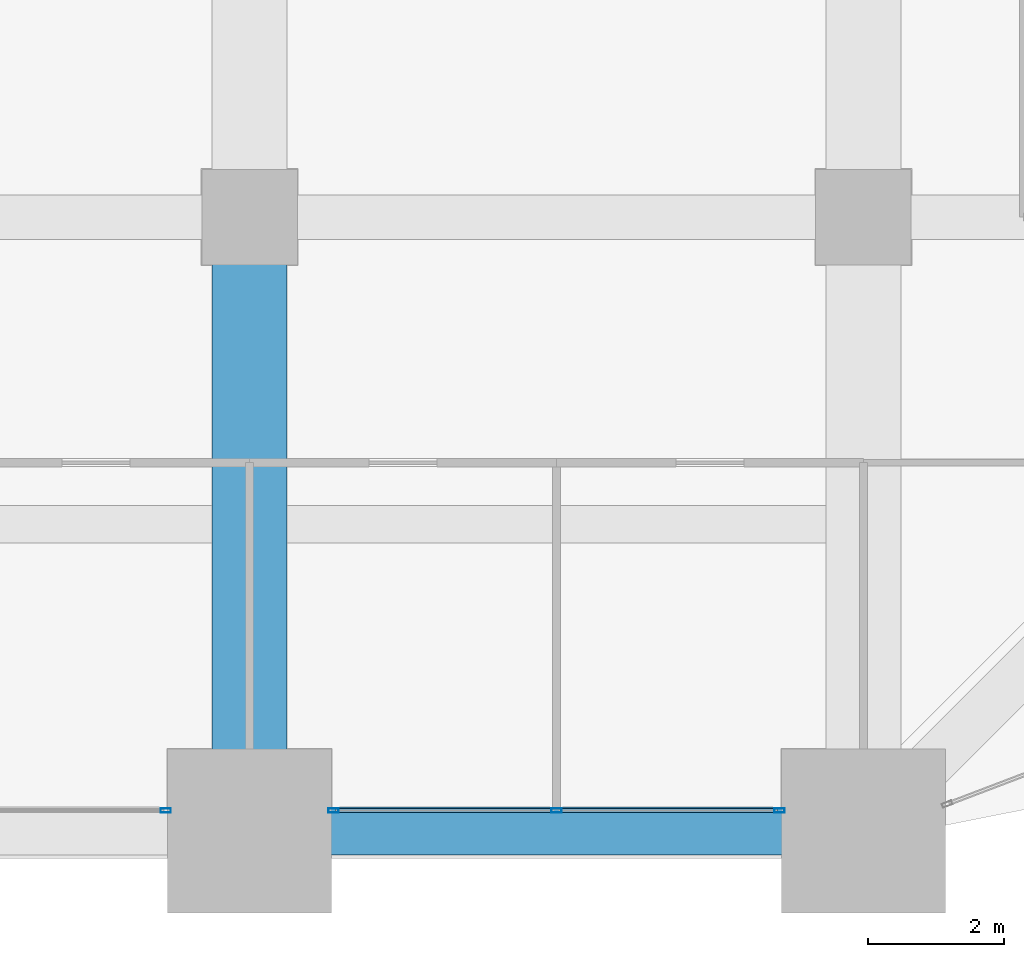
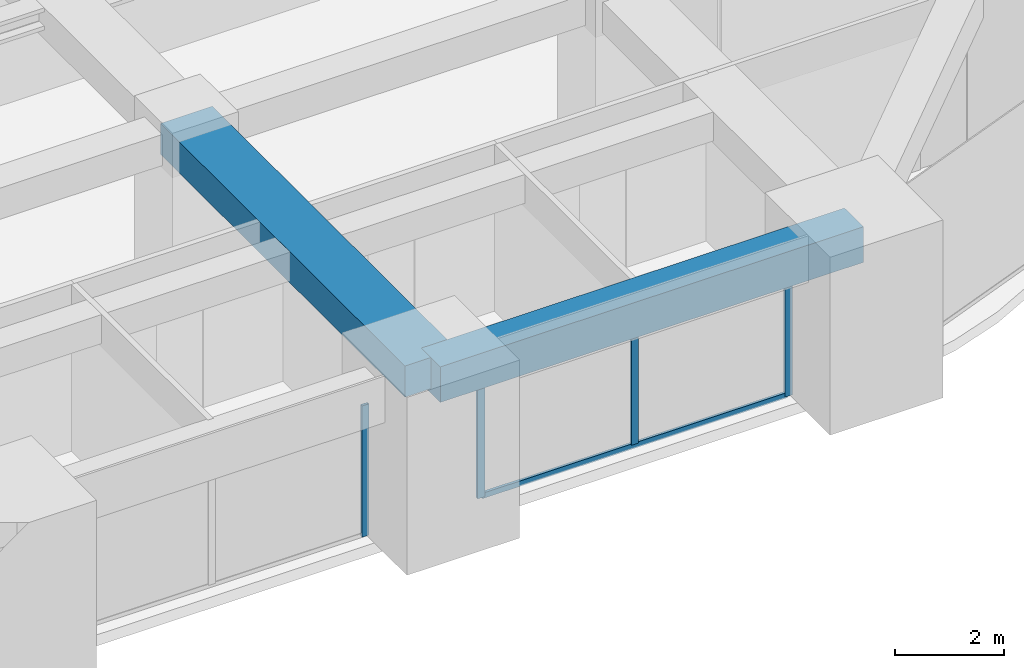
# One storey, part 13 of 33: 5 members, 2 beams, 2 elements without a shape of their own.
"""IFC4 building model written with IfcOpenShell, lengths in metres."""

from ifc_helpers import new_model, si_unit, direction, frame, origin, origin_2d, place, context, subcontext, project, spatial, rectangle, hollow_rectangle, extrude, material, material_profile, profile_set, type_object, element, aggregate, save


model = new_model("IFC4")

# Units and contexts
model_context = context("Model", 3, precision=1e-05, world=origin(), true_north=direction((0.0, 1.0)))
body_context = subcontext(model_context, "Body", "Model", "MODEL_VIEW")
ifc_project = project(units=[si_unit("LENGTHUNIT", "METRE"), si_unit("AREAUNIT", "SQUARE_METRE"), si_unit("VOLUMEUNIT", "CUBIC_METRE"), si_unit("PLANEANGLEUNIT", "RADIAN"), si_unit("MASSUNIT", "GRAM", prefix="KILO")], contexts=[model_context])

# Site, building, storey
site_placement = place(None, origin())
site = spatial("IfcSite", under=ifc_project, at=site_placement, CompositionType="ELEMENT")
building_placement = place(site_placement, origin())
building = spatial("IfcBuilding", under=site, at=building_placement, Name="Zorevar Civic Tower", CompositionType="ELEMENT")
storey_placement = place(building_placement, frame((0.0, 0.0, 210.199951171875)))
storey = spatial("IfcBuildingStorey", under=building, at=storey_placement, Name="L51", CompositionType="ELEMENT", Elevation=210.199951171875)

# Beam
ifc_material_1 = material(Name="Concrete C50/60", Category="concrete")
ifc_material_profile_1 = material_profile(ifc_material_1, rectangle(XDim=1.10009765625, YDim=0.699951171875, at=origin_2d()), Name="RC 1100x700")
ifc_profile_set_1 = profile_set([ifc_material_profile_1], Name="Concrete C50/60")
beam_type_1 = type_object("IfcBeamType", Name="Beam RC 1100x700", PredefinedType="BEAM", material=ifc_profile_set_1)
beam_1_placement = place(storey_placement, frame((36.0, 0.0, 3.400146484375), z_axis=(0.0, 1.0, 0.0), x_axis=(-1.0, 0.0, 0.0)))
element("IfcBeam", 1, at=beam_1_placement, inside=storey, type_object=beam_type_1, Name="Girder L52", PredefinedType="BEAM", context=body_context, shape_type="SweptSolid", body=[
    extrude(rectangle(XDim=1.10009765625, YDim=0.699951171875, at=origin_2d()), origin(), (0.0, 0.0, 1.0), 9.0),
])

# Curtain wall, member
ifc_material_2 = material(Name="Dark grey solar-control glass in black aluminium frame", Category="aluminium")
curtain_wall_type = type_object("IfcCurtainWallType", Name="Curtain wall CW4 high zone", PredefinedType="NOTDEFINED", material=ifc_material_2)
curtain_wall_1_placement = place(storey_placement, origin())
curtain_wall_1 = element("IfcCurtainWall", 2, at=curtain_wall_1_placement, inside=storey, type_object=curtain_wall_type, Name="CW4 L51", PredefinedType="NOTDEFINED")
ifc_material_3 = material(Name="Aluminium, black anodised", Category="aluminium")
ifc_material_profile_2 = material_profile(ifc_material_3, hollow_rectangle(XDim=0.06005859375, YDim=0.14990234375, WallThickness=0.00390625, at=origin_2d()), Name="AL 150x60x4")
ifc_profile_set_2 = profile_set([ifc_material_profile_2], Name="Aluminium, black anodised")
member_type_1 = type_object("IfcMemberType", Name="CW4 mullion AL 150x60x4", PredefinedType="MULLION", material=ifc_profile_set_2)
member_1_placement = place(storey_placement, frame((34.77001953125, 0.300048828125, 0.0), z_axis=(0.0, 0.0, 1.0), x_axis=(0.0, 1.0, 0.0)))
member_1 = element("IfcMember", 3, at=member_1_placement, type_object=member_type_1, Name="CW4 mullion 3", PredefinedType="MULLION", context=body_context, shape_type="SweptSolid", body=[
    extrude(hollow_rectangle(XDim=0.06005859375, YDim=0.14990234375, WallThickness=0.00390625, at=origin_2d()), origin(), (0.0, 0.0, 1.0), 2.949951171875),
])
aggregate(curtain_wall_1, [member_1])

# Curtain wall, members
curtain_wall_2_placement = place(storey_placement, origin())
curtain_wall_2 = element("IfcCurtainWall", 4, at=curtain_wall_2_placement, inside=storey, type_object=curtain_wall_type, Name="CW4 L51", PredefinedType="NOTDEFINED")
member_2_placement = place(storey_placement, frame((37.22998046875, 0.300048828125, 0.0), z_axis=(0.0, 0.0, 1.0), x_axis=(0.0, 1.0, 0.0)))
member_2 = element("IfcMember", 5, at=member_2_placement, type_object=member_type_1, Name="CW4 mullion 1", PredefinedType="MULLION", context=body_context, shape_type="SweptSolid", body=[
    extrude(hollow_rectangle(XDim=0.06005859375, YDim=0.14990234375, WallThickness=0.00390625, at=origin_2d()), origin(), (0.0, 0.0, 1.0), 2.949951171875),
])
member_3_placement = place(storey_placement, frame((40.5, 0.300048828125, 0.06005859375), z_axis=(0.0, 0.0, 1.0), x_axis=(0.0, 1.0, 0.0)))
member_3 = element("IfcMember", 6, at=member_3_placement, type_object=member_type_1, Name="CW4 mullion 2", PredefinedType="MULLION", context=body_context, shape_type="SweptSolid", body=[
    extrude(hollow_rectangle(XDim=0.06005859375, YDim=0.14990234375, WallThickness=0.00390625, at=origin_2d()), origin(), (0.0, 0.0, 1.0), 2.889892578125),
])
member_4_placement = place(storey_placement, frame((43.77001953125, 0.300048828125, 0.0), z_axis=(0.0, 0.0, 1.0), x_axis=(0.0, 1.0, 0.0)))
member_4 = element("IfcMember", 7, at=member_4_placement, type_object=member_type_1, Name="CW4 mullion 3", PredefinedType="MULLION", context=body_context, shape_type="SweptSolid", body=[
    extrude(hollow_rectangle(XDim=0.06005859375, YDim=0.14990234375, WallThickness=0.00390625, at=origin_2d()), origin(), (0.0, 0.0, 1.0), 2.949951171875),
])
ifc_material_4 = material(Name="Aluminium, black anodised", Category="aluminium")
ifc_material_profile_3 = material_profile(ifc_material_4, hollow_rectangle(XDim=0.06005859375, YDim=0.1201171875, WallThickness=0.0029296875, at=origin_2d()), Name="AL 120x60x3")
ifc_profile_set_3 = profile_set([ifc_material_profile_3], Name="Aluminium, black anodised")
member_type_2 = type_object("IfcMemberType", Name="CW4 transom AL 120x60x3", PredefinedType="USERDEFINED", material=ifc_profile_set_3)
member_5_placement = place(storey_placement, frame((37.260009765625, 0.300048828125, 0.030029296875), z_axis=(1.0, 0.0, 0.0), x_axis=(0.0, 1.0, 0.0)))
member_5 = element("IfcMember", 8, at=member_5_placement, type_object=member_type_2, Name="CW4 sill transom", ObjectType="TRANSOM", PredefinedType="USERDEFINED", context=body_context, shape_type="SweptSolid", body=[
    extrude(hollow_rectangle(XDim=0.06005859375, YDim=0.1201171875, WallThickness=0.0029296875, at=origin_2d()), origin(), (0.0, 0.0, 1.0), 6.47998046875),
])
aggregate(curtain_wall_2, [member_2, member_3, member_4, member_5])

# Beam
ifc_material_5 = material(Name="Concrete C50/60", Category="concrete")
ifc_material_profile_4 = material_profile(ifc_material_5, rectangle(XDim=0.699951171875, YDim=0.800048828125, at=origin_2d()), Name="RC 700x800")
ifc_profile_set_4 = profile_set([ifc_material_profile_4], Name="Concrete C50/60")
beam_type_2 = type_object("IfcBeamType", Name="Edge beam RC 700x800", PredefinedType="SPANDREL", material=ifc_profile_set_4)
beam_2_placement = place(storey_placement, frame((36.0, 0.0, 3.35009765625), z_axis=(1.0, 0.0, 0.0), x_axis=(0.0, 1.0, 0.0)))
element("IfcBeam", 9, at=beam_2_placement, inside=storey, type_object=beam_type_2, Name="Edge beam L52", PredefinedType="SPANDREL", context=body_context, shape_type="SweptSolid", body=[
    extrude(rectangle(XDim=0.699951171875, YDim=0.800048828125, at=origin_2d()), origin(), (0.0, 0.0, 1.0), 9.0),
])

save(model, "model.ifc")
